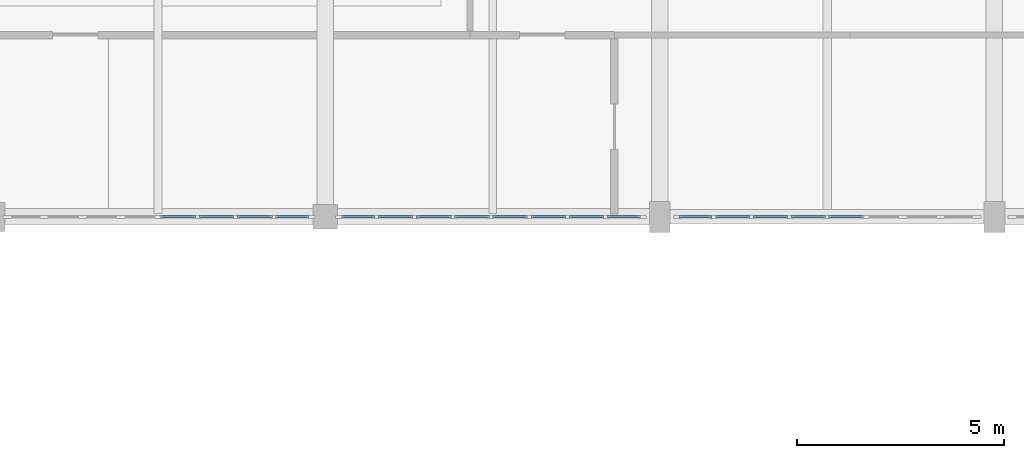
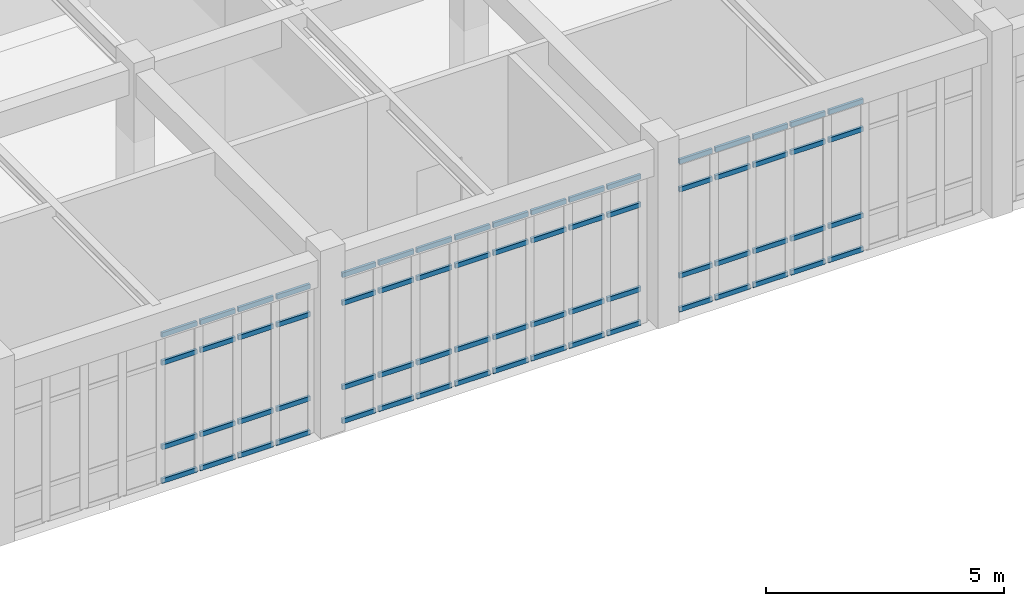
# One storey, part 26 of 61: 68 members, 3 elements without a shape of their own.
"""IFC4 building model written with IfcOpenShell, lengths in metres."""

from ifc_helpers import new_model, si_unit, direction, frame, origin, origin_2d, place, context, subcontext, project, spatial, rectangle, extrude, material, material_profile, profile_set, type_object, element, aggregate, save


model = new_model("IFC4")

# Units and contexts
model_context = context("Model", 3, precision=1e-05, world=origin(), true_north=direction((0.0, 1.0)))
body_context = subcontext(model_context, "Body", "Model", "MODEL_VIEW")
ifc_project = project(units=[si_unit("LENGTHUNIT", "METRE"), si_unit("AREAUNIT", "SQUARE_METRE"), si_unit("VOLUMEUNIT", "CUBIC_METRE"), si_unit("PLANEANGLEUNIT", "RADIAN"), si_unit("MASSUNIT", "GRAM", prefix="KILO")], contexts=[model_context])

# Site, building, storey
site_placement = place(None, origin())
site = spatial("IfcSite", under=ifc_project, at=site_placement, CompositionType="ELEMENT")
building_placement = place(site_placement, origin())
building = spatial("IfcBuilding", under=site, at=building_placement, Name="Tarnveldt Square Police Headquarters", CompositionType="ELEMENT")
storey_placement = place(building_placement, frame((0.0, 0.0, 5.39990234375)))
storey = spatial("IfcBuildingStorey", under=building, at=storey_placement, Name="L01", CompositionType="ELEMENT", Elevation=5.39990234375)

# Curtain wall, members
ifc_material_1 = material(Name="Triple-glazed low-e laminated vision glass", Category="glass")
curtain_wall_type_1 = type_object("IfcCurtainWallType", Name="CW-LB-742x381", PredefinedType="USERDEFINED", material=ifc_material_1)
curtain_wall_1_placement = place(storey_placement, origin())
curtain_wall_1 = element("IfcCurtainWall", 1, at=curtain_wall_1_placement, inside=storey, type_object=curtain_wall_type_1, Name="L01 Curtain Wall CW-L01-108", ObjectType="GLAZED CURTAIN WALL", PredefinedType="USERDEFINED")
ifc_material_2 = material(Name="Thermally broken anodised aluminium 6063-T6", Category="aluminium")
ifc_material_profile = material_profile(ifc_material_2, rectangle(XDim=0.06494140625, YDim=0.1201171875, at=origin_2d()), Name="CW-T65x120")
ifc_profile_set = profile_set([ifc_material_profile], Name="Thermally broken anodised aluminium 6063-T6")
member_type = type_object("IfcMemberType", Name="CWT-65x120", PredefinedType="USERDEFINED", material=ifc_profile_set)
member_1_placement = place(storey_placement, frame((77.012451171875, 96.0, 0.03271484375), z_axis=(1.0, 0.0, 0.0), x_axis=(0.0, 1.0, 0.0)))
member_1 = element("IfcMember", 2, at=member_1_placement, type_object=member_type, Name="CW-LB62 transom 5.1", ObjectType="TRANSOM", PredefinedType="USERDEFINED", context=body_context, shape_type="SweptSolid", body=[
    extrude(rectangle(XDim=0.06494140625, YDim=0.1201171875, at=origin_2d()), origin(), (0.0, 0.0, 1.0), 0.8525390625),
])
member_2_placement = place(storey_placement, frame((77.012451171875, 96.0, 0.900146484375), z_axis=(1.0, 0.0, 0.0), x_axis=(0.0, 1.0, 0.0)))
member_2 = element("IfcMember", 3, at=member_2_placement, type_object=member_type, Name="CW-LB62 transom 5.2", ObjectType="TRANSOM", PredefinedType="USERDEFINED", context=body_context, shape_type="SweptSolid", body=[
    extrude(rectangle(XDim=0.06494140625, YDim=0.1201171875, at=origin_2d()), origin(), (0.0, 0.0, 1.0), 0.8525390625),
])
member_3_placement = place(storey_placement, frame((77.012451171875, 96.0, 3.06201171875), z_axis=(1.0, 0.0, 0.0), x_axis=(0.0, 1.0, 0.0)))
member_3 = element("IfcMember", 4, at=member_3_placement, type_object=member_type, Name="CW-LB62 transom 5.3", ObjectType="TRANSOM", PredefinedType="USERDEFINED", context=body_context, shape_type="SweptSolid", body=[
    extrude(rectangle(XDim=0.06494140625, YDim=0.1201171875, at=origin_2d()), origin(), (0.0, 0.0, 1.0), 0.8525390625),
])
member_4_placement = place(storey_placement, frame((77.012451171875, 96.0, 3.779541015625), z_axis=(1.0, 0.0, 0.0), x_axis=(0.0, 1.0, 0.0)))
member_4 = element("IfcMember", 5, at=member_4_placement, type_object=member_type, Name="CW-LB62 transom 5.4", ObjectType="TRANSOM", PredefinedType="USERDEFINED", context=body_context, shape_type="SweptSolid", body=[
    extrude(rectangle(XDim=0.06494140625, YDim=0.1201171875, at=origin_2d()), origin(), (0.0, 0.0, 1.0), 0.8525390625),
])
member_5_placement = place(storey_placement, frame((77.93994140625, 96.0, 0.03271484375), z_axis=(1.0, 0.0, 0.0), x_axis=(0.0, 1.0, 0.0)))
member_5 = element("IfcMember", 6, at=member_5_placement, type_object=member_type, Name="CW-LB62 transom 6.1", ObjectType="TRANSOM", PredefinedType="USERDEFINED", context=body_context, shape_type="SweptSolid", body=[
    extrude(rectangle(XDim=0.06494140625, YDim=0.1201171875, at=origin_2d()), origin(), (0.0, 0.0, 1.0), 0.8525390625),
])
member_6_placement = place(storey_placement, frame((77.93994140625, 96.0, 0.900146484375), z_axis=(1.0, 0.0, 0.0), x_axis=(0.0, 1.0, 0.0)))
member_6 = element("IfcMember", 7, at=member_6_placement, type_object=member_type, Name="CW-LB62 transom 6.2", ObjectType="TRANSOM", PredefinedType="USERDEFINED", context=body_context, shape_type="SweptSolid", body=[
    extrude(rectangle(XDim=0.06494140625, YDim=0.1201171875, at=origin_2d()), origin(), (0.0, 0.0, 1.0), 0.8525390625),
])
member_7_placement = place(storey_placement, frame((77.93994140625, 96.0, 3.06201171875), z_axis=(1.0, 0.0, 0.0), x_axis=(0.0, 1.0, 0.0)))
member_7 = element("IfcMember", 8, at=member_7_placement, type_object=member_type, Name="CW-LB62 transom 6.3", ObjectType="TRANSOM", PredefinedType="USERDEFINED", context=body_context, shape_type="SweptSolid", body=[
    extrude(rectangle(XDim=0.06494140625, YDim=0.1201171875, at=origin_2d()), origin(), (0.0, 0.0, 1.0), 0.8525390625),
])
member_8_placement = place(storey_placement, frame((77.93994140625, 96.0, 3.779541015625), z_axis=(1.0, 0.0, 0.0), x_axis=(0.0, 1.0, 0.0)))
member_8 = element("IfcMember", 9, at=member_8_placement, type_object=member_type, Name="CW-LB62 transom 6.4", ObjectType="TRANSOM", PredefinedType="USERDEFINED", context=body_context, shape_type="SweptSolid", body=[
    extrude(rectangle(XDim=0.06494140625, YDim=0.1201171875, at=origin_2d()), origin(), (0.0, 0.0, 1.0), 0.8525390625),
])
member_9_placement = place(storey_placement, frame((78.867431640625, 96.0, 0.03271484375), z_axis=(1.0, 0.0, 0.0), x_axis=(0.0, 1.0, 0.0)))
member_9 = element("IfcMember", 10, at=member_9_placement, type_object=member_type, Name="CW-LB62 transom 7.1", ObjectType="TRANSOM", PredefinedType="USERDEFINED", context=body_context, shape_type="SweptSolid", body=[
    extrude(rectangle(XDim=0.06494140625, YDim=0.1201171875, at=origin_2d()), origin(), (0.0, 0.0, 1.0), 0.8525390625),
])
member_10_placement = place(storey_placement, frame((78.867431640625, 96.0, 0.900146484375), z_axis=(1.0, 0.0, 0.0), x_axis=(0.0, 1.0, 0.0)))
member_10 = element("IfcMember", 11, at=member_10_placement, type_object=member_type, Name="CW-LB62 transom 7.2", ObjectType="TRANSOM", PredefinedType="USERDEFINED", context=body_context, shape_type="SweptSolid", body=[
    extrude(rectangle(XDim=0.06494140625, YDim=0.1201171875, at=origin_2d()), origin(), (0.0, 0.0, 1.0), 0.8525390625),
])
member_11_placement = place(storey_placement, frame((78.867431640625, 96.0, 3.06201171875), z_axis=(1.0, 0.0, 0.0), x_axis=(0.0, 1.0, 0.0)))
member_11 = element("IfcMember", 12, at=member_11_placement, type_object=member_type, Name="CW-LB62 transom 7.3", ObjectType="TRANSOM", PredefinedType="USERDEFINED", context=body_context, shape_type="SweptSolid", body=[
    extrude(rectangle(XDim=0.06494140625, YDim=0.1201171875, at=origin_2d()), origin(), (0.0, 0.0, 1.0), 0.8525390625),
])
member_12_placement = place(storey_placement, frame((78.867431640625, 96.0, 3.779541015625), z_axis=(1.0, 0.0, 0.0), x_axis=(0.0, 1.0, 0.0)))
member_12 = element("IfcMember", 13, at=member_12_placement, type_object=member_type, Name="CW-LB62 transom 7.4", ObjectType="TRANSOM", PredefinedType="USERDEFINED", context=body_context, shape_type="SweptSolid", body=[
    extrude(rectangle(XDim=0.06494140625, YDim=0.1201171875, at=origin_2d()), origin(), (0.0, 0.0, 1.0), 0.8525390625),
])
member_13_placement = place(storey_placement, frame((79.794921875, 96.0, 0.03271484375), z_axis=(1.0, 0.0, 0.0), x_axis=(0.0, 1.0, 0.0)))
member_13 = element("IfcMember", 14, at=member_13_placement, type_object=member_type, Name="CW-LB62 transom 8.1", ObjectType="TRANSOM", PredefinedType="USERDEFINED", context=body_context, shape_type="SweptSolid", body=[
    extrude(rectangle(XDim=0.06494140625, YDim=0.1201171875, at=origin_2d()), origin(), (0.0, 0.0, 1.0), 0.815185546875),
])
member_14_placement = place(storey_placement, frame((79.794921875, 96.0, 0.900146484375), z_axis=(1.0, 0.0, 0.0), x_axis=(0.0, 1.0, 0.0)))
member_14 = element("IfcMember", 15, at=member_14_placement, type_object=member_type, Name="CW-LB62 transom 8.2", ObjectType="TRANSOM", PredefinedType="USERDEFINED", context=body_context, shape_type="SweptSolid", body=[
    extrude(rectangle(XDim=0.06494140625, YDim=0.1201171875, at=origin_2d()), origin(), (0.0, 0.0, 1.0), 0.815185546875),
])
member_15_placement = place(storey_placement, frame((79.794921875, 96.0, 3.06201171875), z_axis=(1.0, 0.0, 0.0), x_axis=(0.0, 1.0, 0.0)))
member_15 = element("IfcMember", 16, at=member_15_placement, type_object=member_type, Name="CW-LB62 transom 8.3", ObjectType="TRANSOM", PredefinedType="USERDEFINED", context=body_context, shape_type="SweptSolid", body=[
    extrude(rectangle(XDim=0.06494140625, YDim=0.1201171875, at=origin_2d()), origin(), (0.0, 0.0, 1.0), 0.815185546875),
])
member_16_placement = place(storey_placement, frame((79.794921875, 96.0, 3.779541015625), z_axis=(1.0, 0.0, 0.0), x_axis=(0.0, 1.0, 0.0)))
member_16 = element("IfcMember", 17, at=member_16_placement, type_object=member_type, Name="CW-LB62 transom 8.4", ObjectType="TRANSOM", PredefinedType="USERDEFINED", context=body_context, shape_type="SweptSolid", body=[
    extrude(rectangle(XDim=0.06494140625, YDim=0.1201171875, at=origin_2d()), origin(), (0.0, 0.0, 1.0), 0.815185546875),
])
aggregate(curtain_wall_1, [member_1, member_2, member_3, member_4, member_5, member_6, member_7, member_8, member_9, member_10, member_11, member_12, member_13, member_14, member_15, member_16])

curtain_wall_type_2 = type_object("IfcCurtainWallType", Name="CW-LB-739x381", PredefinedType="USERDEFINED", material=ifc_material_1)
curtain_wall_2_placement = place(storey_placement, origin())
curtain_wall_2 = element("IfcCurtainWall", 18, at=curtain_wall_2_placement, inside=storey, type_object=curtain_wall_type_2, Name="L01 Curtain Wall CW-L01-109", ObjectType="GLAZED CURTAIN WALL", PredefinedType="USERDEFINED")
member_17_placement = place(storey_placement, frame((81.389892578125, 96.0, 0.03271484375), z_axis=(1.0, 0.0, 0.0), x_axis=(0.0, 1.0, 0.0)))
member_17 = element("IfcMember", 19, at=member_17_placement, type_object=member_type, Name="CW-LB63 transom 1.1", ObjectType="TRANSOM", PredefinedType="USERDEFINED", context=body_context, shape_type="SweptSolid", body=[
    extrude(rectangle(XDim=0.06494140625, YDim=0.1201171875, at=origin_2d()), origin(), (0.0, 0.0, 1.0), 0.81201171875),
])
member_18_placement = place(storey_placement, frame((81.389892578125, 96.0, 0.900146484375), z_axis=(1.0, 0.0, 0.0), x_axis=(0.0, 1.0, 0.0)))
member_18 = element("IfcMember", 20, at=member_18_placement, type_object=member_type, Name="CW-LB63 transom 1.2", ObjectType="TRANSOM", PredefinedType="USERDEFINED", context=body_context, shape_type="SweptSolid", body=[
    extrude(rectangle(XDim=0.06494140625, YDim=0.1201171875, at=origin_2d()), origin(), (0.0, 0.0, 1.0), 0.81201171875),
])
member_19_placement = place(storey_placement, frame((81.389892578125, 96.0, 3.06201171875), z_axis=(1.0, 0.0, 0.0), x_axis=(0.0, 1.0, 0.0)))
member_19 = element("IfcMember", 21, at=member_19_placement, type_object=member_type, Name="CW-LB63 transom 1.3", ObjectType="TRANSOM", PredefinedType="USERDEFINED", context=body_context, shape_type="SweptSolid", body=[
    extrude(rectangle(XDim=0.06494140625, YDim=0.1201171875, at=origin_2d()), origin(), (0.0, 0.0, 1.0), 0.81201171875),
])
member_20_placement = place(storey_placement, frame((81.389892578125, 96.0, 3.779541015625), z_axis=(1.0, 0.0, 0.0), x_axis=(0.0, 1.0, 0.0)))
member_20 = element("IfcMember", 22, at=member_20_placement, type_object=member_type, Name="CW-LB63 transom 1.4", ObjectType="TRANSOM", PredefinedType="USERDEFINED", context=body_context, shape_type="SweptSolid", body=[
    extrude(rectangle(XDim=0.06494140625, YDim=0.1201171875, at=origin_2d()), origin(), (0.0, 0.0, 1.0), 0.81201171875),
])
member_21_placement = place(storey_placement, frame((82.27685546875, 96.0, 0.03271484375), z_axis=(1.0, 0.0, 0.0), x_axis=(0.0, 1.0, 0.0)))
member_21 = element("IfcMember", 23, at=member_21_placement, type_object=member_type, Name="CW-LB63 transom 2.1", ObjectType="TRANSOM", PredefinedType="USERDEFINED", context=body_context, shape_type="SweptSolid", body=[
    extrude(rectangle(XDim=0.06494140625, YDim=0.1201171875, at=origin_2d()), origin(), (0.0, 0.0, 1.0), 0.849365234375),
])
member_22_placement = place(storey_placement, frame((82.27685546875, 96.0, 0.900146484375), z_axis=(1.0, 0.0, 0.0), x_axis=(0.0, 1.0, 0.0)))
member_22 = element("IfcMember", 24, at=member_22_placement, type_object=member_type, Name="CW-LB63 transom 2.2", ObjectType="TRANSOM", PredefinedType="USERDEFINED", context=body_context, shape_type="SweptSolid", body=[
    extrude(rectangle(XDim=0.06494140625, YDim=0.1201171875, at=origin_2d()), origin(), (0.0, 0.0, 1.0), 0.849365234375),
])
member_23_placement = place(storey_placement, frame((82.27685546875, 96.0, 3.06201171875), z_axis=(1.0, 0.0, 0.0), x_axis=(0.0, 1.0, 0.0)))
member_23 = element("IfcMember", 25, at=member_23_placement, type_object=member_type, Name="CW-LB63 transom 2.3", ObjectType="TRANSOM", PredefinedType="USERDEFINED", context=body_context, shape_type="SweptSolid", body=[
    extrude(rectangle(XDim=0.06494140625, YDim=0.1201171875, at=origin_2d()), origin(), (0.0, 0.0, 1.0), 0.849365234375),
])
member_24_placement = place(storey_placement, frame((82.27685546875, 96.0, 3.779541015625), z_axis=(1.0, 0.0, 0.0), x_axis=(0.0, 1.0, 0.0)))
member_24 = element("IfcMember", 26, at=member_24_placement, type_object=member_type, Name="CW-LB63 transom 2.4", ObjectType="TRANSOM", PredefinedType="USERDEFINED", context=body_context, shape_type="SweptSolid", body=[
    extrude(rectangle(XDim=0.06494140625, YDim=0.1201171875, at=origin_2d()), origin(), (0.0, 0.0, 1.0), 0.849365234375),
])
member_25_placement = place(storey_placement, frame((83.201171875, 96.0, 0.03271484375), z_axis=(1.0, 0.0, 0.0), x_axis=(0.0, 1.0, 0.0)))
member_25 = element("IfcMember", 27, at=member_25_placement, type_object=member_type, Name="CW-LB63 transom 3.1", ObjectType="TRANSOM", PredefinedType="USERDEFINED", context=body_context, shape_type="SweptSolid", body=[
    extrude(rectangle(XDim=0.06494140625, YDim=0.1201171875, at=origin_2d()), origin(), (0.0, 0.0, 1.0), 0.849365234375),
])
member_26_placement = place(storey_placement, frame((83.201171875, 96.0, 0.900146484375), z_axis=(1.0, 0.0, 0.0), x_axis=(0.0, 1.0, 0.0)))
member_26 = element("IfcMember", 28, at=member_26_placement, type_object=member_type, Name="CW-LB63 transom 3.2", ObjectType="TRANSOM", PredefinedType="USERDEFINED", context=body_context, shape_type="SweptSolid", body=[
    extrude(rectangle(XDim=0.06494140625, YDim=0.1201171875, at=origin_2d()), origin(), (0.0, 0.0, 1.0), 0.849365234375),
])
member_27_placement = place(storey_placement, frame((83.201171875, 96.0, 3.06201171875), z_axis=(1.0, 0.0, 0.0), x_axis=(0.0, 1.0, 0.0)))
member_27 = element("IfcMember", 29, at=member_27_placement, type_object=member_type, Name="CW-LB63 transom 3.3", ObjectType="TRANSOM", PredefinedType="USERDEFINED", context=body_context, shape_type="SweptSolid", body=[
    extrude(rectangle(XDim=0.06494140625, YDim=0.1201171875, at=origin_2d()), origin(), (0.0, 0.0, 1.0), 0.849365234375),
])
member_28_placement = place(storey_placement, frame((83.201171875, 96.0, 3.779541015625), z_axis=(1.0, 0.0, 0.0), x_axis=(0.0, 1.0, 0.0)))
member_28 = element("IfcMember", 30, at=member_28_placement, type_object=member_type, Name="CW-LB63 transom 3.4", ObjectType="TRANSOM", PredefinedType="USERDEFINED", context=body_context, shape_type="SweptSolid", body=[
    extrude(rectangle(XDim=0.06494140625, YDim=0.1201171875, at=origin_2d()), origin(), (0.0, 0.0, 1.0), 0.849365234375),
])
member_29_placement = place(storey_placement, frame((84.125732421875, 96.0, 0.03271484375), z_axis=(1.0, 0.0, 0.0), x_axis=(0.0, 1.0, 0.0)))
member_29 = element("IfcMember", 31, at=member_29_placement, type_object=member_type, Name="CW-LB63 transom 4.1", ObjectType="TRANSOM", PredefinedType="USERDEFINED", context=body_context, shape_type="SweptSolid", body=[
    extrude(rectangle(XDim=0.06494140625, YDim=0.1201171875, at=origin_2d()), origin(), (0.0, 0.0, 1.0), 0.849365234375),
])
member_30_placement = place(storey_placement, frame((84.125732421875, 96.0, 0.900146484375), z_axis=(1.0, 0.0, 0.0), x_axis=(0.0, 1.0, 0.0)))
member_30 = element("IfcMember", 32, at=member_30_placement, type_object=member_type, Name="CW-LB63 transom 4.2", ObjectType="TRANSOM", PredefinedType="USERDEFINED", context=body_context, shape_type="SweptSolid", body=[
    extrude(rectangle(XDim=0.06494140625, YDim=0.1201171875, at=origin_2d()), origin(), (0.0, 0.0, 1.0), 0.849365234375),
])
member_31_placement = place(storey_placement, frame((84.125732421875, 96.0, 3.06201171875), z_axis=(1.0, 0.0, 0.0), x_axis=(0.0, 1.0, 0.0)))
member_31 = element("IfcMember", 33, at=member_31_placement, type_object=member_type, Name="CW-LB63 transom 4.3", ObjectType="TRANSOM", PredefinedType="USERDEFINED", context=body_context, shape_type="SweptSolid", body=[
    extrude(rectangle(XDim=0.06494140625, YDim=0.1201171875, at=origin_2d()), origin(), (0.0, 0.0, 1.0), 0.849365234375),
])
member_32_placement = place(storey_placement, frame((84.125732421875, 96.0, 3.779541015625), z_axis=(1.0, 0.0, 0.0), x_axis=(0.0, 1.0, 0.0)))
member_32 = element("IfcMember", 34, at=member_32_placement, type_object=member_type, Name="CW-LB63 transom 4.4", ObjectType="TRANSOM", PredefinedType="USERDEFINED", context=body_context, shape_type="SweptSolid", body=[
    extrude(rectangle(XDim=0.06494140625, YDim=0.1201171875, at=origin_2d()), origin(), (0.0, 0.0, 1.0), 0.849365234375),
])
member_33_placement = place(storey_placement, frame((85.050048828125, 96.0, 0.03271484375), z_axis=(1.0, 0.0, 0.0), x_axis=(0.0, 1.0, 0.0)))
member_33 = element("IfcMember", 35, at=member_33_placement, type_object=member_type, Name="CW-LB63 transom 5.1", ObjectType="TRANSOM", PredefinedType="USERDEFINED", context=body_context, shape_type="SweptSolid", body=[
    extrude(rectangle(XDim=0.06494140625, YDim=0.1201171875, at=origin_2d()), origin(), (0.0, 0.0, 1.0), 0.849365234375),
])
member_34_placement = place(storey_placement, frame((85.050048828125, 96.0, 0.900146484375), z_axis=(1.0, 0.0, 0.0), x_axis=(0.0, 1.0, 0.0)))
member_34 = element("IfcMember", 36, at=member_34_placement, type_object=member_type, Name="CW-LB63 transom 5.2", ObjectType="TRANSOM", PredefinedType="USERDEFINED", context=body_context, shape_type="SweptSolid", body=[
    extrude(rectangle(XDim=0.06494140625, YDim=0.1201171875, at=origin_2d()), origin(), (0.0, 0.0, 1.0), 0.849365234375),
])
member_35_placement = place(storey_placement, frame((85.050048828125, 96.0, 3.06201171875), z_axis=(1.0, 0.0, 0.0), x_axis=(0.0, 1.0, 0.0)))
member_35 = element("IfcMember", 37, at=member_35_placement, type_object=member_type, Name="CW-LB63 transom 5.3", ObjectType="TRANSOM", PredefinedType="USERDEFINED", context=body_context, shape_type="SweptSolid", body=[
    extrude(rectangle(XDim=0.06494140625, YDim=0.1201171875, at=origin_2d()), origin(), (0.0, 0.0, 1.0), 0.849365234375),
])
member_36_placement = place(storey_placement, frame((85.050048828125, 96.0, 3.779541015625), z_axis=(1.0, 0.0, 0.0), x_axis=(0.0, 1.0, 0.0)))
member_36 = element("IfcMember", 38, at=member_36_placement, type_object=member_type, Name="CW-LB63 transom 5.4", ObjectType="TRANSOM", PredefinedType="USERDEFINED", context=body_context, shape_type="SweptSolid", body=[
    extrude(rectangle(XDim=0.06494140625, YDim=0.1201171875, at=origin_2d()), origin(), (0.0, 0.0, 1.0), 0.849365234375),
])
member_37_placement = place(storey_placement, frame((85.974365234375, 96.0, 0.03271484375), z_axis=(1.0, 0.0, 0.0), x_axis=(0.0, 1.0, 0.0)))
member_37 = element("IfcMember", 39, at=member_37_placement, type_object=member_type, Name="CW-LB63 transom 6.1", ObjectType="TRANSOM", PredefinedType="USERDEFINED", context=body_context, shape_type="SweptSolid", body=[
    extrude(rectangle(XDim=0.06494140625, YDim=0.1201171875, at=origin_2d()), origin(), (0.0, 0.0, 1.0), 0.849365234375),
])
member_38_placement = place(storey_placement, frame((85.974365234375, 96.0, 0.900146484375), z_axis=(1.0, 0.0, 0.0), x_axis=(0.0, 1.0, 0.0)))
member_38 = element("IfcMember", 40, at=member_38_placement, type_object=member_type, Name="CW-LB63 transom 6.2", ObjectType="TRANSOM", PredefinedType="USERDEFINED", context=body_context, shape_type="SweptSolid", body=[
    extrude(rectangle(XDim=0.06494140625, YDim=0.1201171875, at=origin_2d()), origin(), (0.0, 0.0, 1.0), 0.849365234375),
])
member_39_placement = place(storey_placement, frame((85.974365234375, 96.0, 3.06201171875), z_axis=(1.0, 0.0, 0.0), x_axis=(0.0, 1.0, 0.0)))
member_39 = element("IfcMember", 41, at=member_39_placement, type_object=member_type, Name="CW-LB63 transom 6.3", ObjectType="TRANSOM", PredefinedType="USERDEFINED", context=body_context, shape_type="SweptSolid", body=[
    extrude(rectangle(XDim=0.06494140625, YDim=0.1201171875, at=origin_2d()), origin(), (0.0, 0.0, 1.0), 0.849365234375),
])
member_40_placement = place(storey_placement, frame((85.974365234375, 96.0, 3.779541015625), z_axis=(1.0, 0.0, 0.0), x_axis=(0.0, 1.0, 0.0)))
member_40 = element("IfcMember", 42, at=member_40_placement, type_object=member_type, Name="CW-LB63 transom 6.4", ObjectType="TRANSOM", PredefinedType="USERDEFINED", context=body_context, shape_type="SweptSolid", body=[
    extrude(rectangle(XDim=0.06494140625, YDim=0.1201171875, at=origin_2d()), origin(), (0.0, 0.0, 1.0), 0.849365234375),
])
member_41_placement = place(storey_placement, frame((86.898681640625, 96.0, 0.03271484375), z_axis=(1.0, 0.0, 0.0), x_axis=(0.0, 1.0, 0.0)))
member_41 = element("IfcMember", 43, at=member_41_placement, type_object=member_type, Name="CW-LB63 transom 7.1", ObjectType="TRANSOM", PredefinedType="USERDEFINED", context=body_context, shape_type="SweptSolid", body=[
    extrude(rectangle(XDim=0.06494140625, YDim=0.1201171875, at=origin_2d()), origin(), (0.0, 0.0, 1.0), 0.849365234375),
])
member_42_placement = place(storey_placement, frame((86.898681640625, 96.0, 0.900146484375), z_axis=(1.0, 0.0, 0.0), x_axis=(0.0, 1.0, 0.0)))
member_42 = element("IfcMember", 44, at=member_42_placement, type_object=member_type, Name="CW-LB63 transom 7.2", ObjectType="TRANSOM", PredefinedType="USERDEFINED", context=body_context, shape_type="SweptSolid", body=[
    extrude(rectangle(XDim=0.06494140625, YDim=0.1201171875, at=origin_2d()), origin(), (0.0, 0.0, 1.0), 0.849365234375),
])
member_43_placement = place(storey_placement, frame((86.898681640625, 96.0, 3.06201171875), z_axis=(1.0, 0.0, 0.0), x_axis=(0.0, 1.0, 0.0)))
member_43 = element("IfcMember", 45, at=member_43_placement, type_object=member_type, Name="CW-LB63 transom 7.3", ObjectType="TRANSOM", PredefinedType="USERDEFINED", context=body_context, shape_type="SweptSolid", body=[
    extrude(rectangle(XDim=0.06494140625, YDim=0.1201171875, at=origin_2d()), origin(), (0.0, 0.0, 1.0), 0.849365234375),
])
member_44_placement = place(storey_placement, frame((86.898681640625, 96.0, 3.779541015625), z_axis=(1.0, 0.0, 0.0), x_axis=(0.0, 1.0, 0.0)))
member_44 = element("IfcMember", 46, at=member_44_placement, type_object=member_type, Name="CW-LB63 transom 7.4", ObjectType="TRANSOM", PredefinedType="USERDEFINED", context=body_context, shape_type="SweptSolid", body=[
    extrude(rectangle(XDim=0.06494140625, YDim=0.1201171875, at=origin_2d()), origin(), (0.0, 0.0, 1.0), 0.849365234375),
])
member_45_placement = place(storey_placement, frame((87.8232421875, 96.0, 0.03271484375), z_axis=(1.0, 0.0, 0.0), x_axis=(0.0, 1.0, 0.0)))
member_45 = element("IfcMember", 47, at=member_45_placement, type_object=member_type, Name="CW-LB63 transom 8.1", ObjectType="TRANSOM", PredefinedType="USERDEFINED", context=body_context, shape_type="SweptSolid", body=[
    extrude(rectangle(XDim=0.06494140625, YDim=0.1201171875, at=origin_2d()), origin(), (0.0, 0.0, 1.0), 0.811767578125),
])
member_46_placement = place(storey_placement, frame((87.8232421875, 96.0, 0.900146484375), z_axis=(1.0, 0.0, 0.0), x_axis=(0.0, 1.0, 0.0)))
member_46 = element("IfcMember", 48, at=member_46_placement, type_object=member_type, Name="CW-LB63 transom 8.2", ObjectType="TRANSOM", PredefinedType="USERDEFINED", context=body_context, shape_type="SweptSolid", body=[
    extrude(rectangle(XDim=0.06494140625, YDim=0.1201171875, at=origin_2d()), origin(), (0.0, 0.0, 1.0), 0.811767578125),
])
member_47_placement = place(storey_placement, frame((87.8232421875, 96.0, 3.06201171875), z_axis=(1.0, 0.0, 0.0), x_axis=(0.0, 1.0, 0.0)))
member_47 = element("IfcMember", 49, at=member_47_placement, type_object=member_type, Name="CW-LB63 transom 8.3", ObjectType="TRANSOM", PredefinedType="USERDEFINED", context=body_context, shape_type="SweptSolid", body=[
    extrude(rectangle(XDim=0.06494140625, YDim=0.1201171875, at=origin_2d()), origin(), (0.0, 0.0, 1.0), 0.811767578125),
])
member_48_placement = place(storey_placement, frame((87.8232421875, 96.0, 3.779541015625), z_axis=(1.0, 0.0, 0.0), x_axis=(0.0, 1.0, 0.0)))
member_48 = element("IfcMember", 50, at=member_48_placement, type_object=member_type, Name="CW-LB63 transom 8.4", ObjectType="TRANSOM", PredefinedType="USERDEFINED", context=body_context, shape_type="SweptSolid", body=[
    extrude(rectangle(XDim=0.06494140625, YDim=0.1201171875, at=origin_2d()), origin(), (0.0, 0.0, 1.0), 0.811767578125),
])
aggregate(curtain_wall_2, [member_17, member_18, member_19, member_20, member_21, member_22, member_23, member_24, member_25, member_26, member_27, member_28, member_29, member_30, member_31, member_32, member_33, member_34, member_35, member_36, member_37, member_38, member_39, member_40, member_41, member_42, member_43, member_44, member_45, member_46, member_47, member_48])

curtain_wall_type_3 = type_object("IfcCurtainWallType", Name="CW-LB-732x386", PredefinedType="USERDEFINED", material=ifc_material_1)
curtain_wall_3_placement = place(storey_placement, origin())
curtain_wall_3 = element("IfcCurtainWall", 51, at=curtain_wall_3_placement, inside=storey, type_object=curtain_wall_type_3, Name="L01 Curtain Wall CW-L01-110", ObjectType="GLAZED CURTAIN WALL", PredefinedType="USERDEFINED")
member_49_placement = place(storey_placement, frame((89.56494140625, 96.0, 0.03271484375), z_axis=(1.0, 0.0, 0.0), x_axis=(0.0, 1.0, 0.0)))
member_49 = element("IfcMember", 52, at=member_49_placement, type_object=member_type, Name="CW-LB64 transom 1.1", ObjectType="TRANSOM", PredefinedType="USERDEFINED", context=body_context, shape_type="SweptSolid", body=[
    extrude(rectangle(XDim=0.06494140625, YDim=0.1201171875, at=origin_2d()), origin(), (0.0, 0.0, 1.0), 0.802490234375),
])
member_50_placement = place(storey_placement, frame((89.56494140625, 96.0, 0.900146484375), z_axis=(1.0, 0.0, 0.0), x_axis=(0.0, 1.0, 0.0)))
member_50 = element("IfcMember", 53, at=member_50_placement, type_object=member_type, Name="CW-LB64 transom 1.2", ObjectType="TRANSOM", PredefinedType="USERDEFINED", context=body_context, shape_type="SweptSolid", body=[
    extrude(rectangle(XDim=0.06494140625, YDim=0.1201171875, at=origin_2d()), origin(), (0.0, 0.0, 1.0), 0.802490234375),
])
member_51_placement = place(storey_placement, frame((89.56494140625, 96.0, 3.112060546875), z_axis=(1.0, 0.0, 0.0), x_axis=(0.0, 1.0, 0.0)))
member_51 = element("IfcMember", 54, at=member_51_placement, type_object=member_type, Name="CW-LB64 transom 1.3", ObjectType="TRANSOM", PredefinedType="USERDEFINED", context=body_context, shape_type="SweptSolid", body=[
    extrude(rectangle(XDim=0.06494140625, YDim=0.1201171875, at=origin_2d()), origin(), (0.0, 0.0, 1.0), 0.802490234375),
])
member_52_placement = place(storey_placement, frame((89.56494140625, 96.0, 3.82958984375), z_axis=(1.0, 0.0, 0.0), x_axis=(0.0, 1.0, 0.0)))
member_52 = element("IfcMember", 55, at=member_52_placement, type_object=member_type, Name="CW-LB64 transom 1.4", ObjectType="TRANSOM", PredefinedType="USERDEFINED", context=body_context, shape_type="SweptSolid", body=[
    extrude(rectangle(XDim=0.06494140625, YDim=0.1201171875, at=origin_2d()), origin(), (0.0, 0.0, 1.0), 0.802490234375),
])
member_53_placement = place(storey_placement, frame((90.4423828125, 96.0, 0.03271484375), z_axis=(1.0, 0.0, 0.0), x_axis=(0.0, 1.0, 0.0)))
member_53 = element("IfcMember", 56, at=member_53_placement, type_object=member_type, Name="CW-LB64 transom 2.1", ObjectType="TRANSOM", PredefinedType="USERDEFINED", context=body_context, shape_type="SweptSolid", body=[
    extrude(rectangle(XDim=0.06494140625, YDim=0.1201171875, at=origin_2d()), origin(), (0.0, 0.0, 1.0), 0.840087890625),
])
member_54_placement = place(storey_placement, frame((90.4423828125, 96.0, 0.900146484375), z_axis=(1.0, 0.0, 0.0), x_axis=(0.0, 1.0, 0.0)))
member_54 = element("IfcMember", 57, at=member_54_placement, type_object=member_type, Name="CW-LB64 transom 2.2", ObjectType="TRANSOM", PredefinedType="USERDEFINED", context=body_context, shape_type="SweptSolid", body=[
    extrude(rectangle(XDim=0.06494140625, YDim=0.1201171875, at=origin_2d()), origin(), (0.0, 0.0, 1.0), 0.840087890625),
])
member_55_placement = place(storey_placement, frame((90.4423828125, 96.0, 3.112060546875), z_axis=(1.0, 0.0, 0.0), x_axis=(0.0, 1.0, 0.0)))
member_55 = element("IfcMember", 58, at=member_55_placement, type_object=member_type, Name="CW-LB64 transom 2.3", ObjectType="TRANSOM", PredefinedType="USERDEFINED", context=body_context, shape_type="SweptSolid", body=[
    extrude(rectangle(XDim=0.06494140625, YDim=0.1201171875, at=origin_2d()), origin(), (0.0, 0.0, 1.0), 0.840087890625),
])
member_56_placement = place(storey_placement, frame((90.4423828125, 96.0, 3.82958984375), z_axis=(1.0, 0.0, 0.0), x_axis=(0.0, 1.0, 0.0)))
member_56 = element("IfcMember", 59, at=member_56_placement, type_object=member_type, Name="CW-LB64 transom 2.4", ObjectType="TRANSOM", PredefinedType="USERDEFINED", context=body_context, shape_type="SweptSolid", body=[
    extrude(rectangle(XDim=0.06494140625, YDim=0.1201171875, at=origin_2d()), origin(), (0.0, 0.0, 1.0), 0.840087890625),
])
member_57_placement = place(storey_placement, frame((91.357421875, 96.0, 0.03271484375), z_axis=(1.0, 0.0, 0.0), x_axis=(0.0, 1.0, 0.0)))
member_57 = element("IfcMember", 60, at=member_57_placement, type_object=member_type, Name="CW-LB64 transom 3.1", ObjectType="TRANSOM", PredefinedType="USERDEFINED", context=body_context, shape_type="SweptSolid", body=[
    extrude(rectangle(XDim=0.06494140625, YDim=0.1201171875, at=origin_2d()), origin(), (0.0, 0.0, 1.0), 0.840087890625),
])
member_58_placement = place(storey_placement, frame((91.357421875, 96.0, 0.900146484375), z_axis=(1.0, 0.0, 0.0), x_axis=(0.0, 1.0, 0.0)))
member_58 = element("IfcMember", 61, at=member_58_placement, type_object=member_type, Name="CW-LB64 transom 3.2", ObjectType="TRANSOM", PredefinedType="USERDEFINED", context=body_context, shape_type="SweptSolid", body=[
    extrude(rectangle(XDim=0.06494140625, YDim=0.1201171875, at=origin_2d()), origin(), (0.0, 0.0, 1.0), 0.840087890625),
])
member_59_placement = place(storey_placement, frame((91.357421875, 96.0, 3.112060546875), z_axis=(1.0, 0.0, 0.0), x_axis=(0.0, 1.0, 0.0)))
member_59 = element("IfcMember", 62, at=member_59_placement, type_object=member_type, Name="CW-LB64 transom 3.3", ObjectType="TRANSOM", PredefinedType="USERDEFINED", context=body_context, shape_type="SweptSolid", body=[
    extrude(rectangle(XDim=0.06494140625, YDim=0.1201171875, at=origin_2d()), origin(), (0.0, 0.0, 1.0), 0.840087890625),
])
member_60_placement = place(storey_placement, frame((91.357421875, 96.0, 3.82958984375), z_axis=(1.0, 0.0, 0.0), x_axis=(0.0, 1.0, 0.0)))
member_60 = element("IfcMember", 63, at=member_60_placement, type_object=member_type, Name="CW-LB64 transom 3.4", ObjectType="TRANSOM", PredefinedType="USERDEFINED", context=body_context, shape_type="SweptSolid", body=[
    extrude(rectangle(XDim=0.06494140625, YDim=0.1201171875, at=origin_2d()), origin(), (0.0, 0.0, 1.0), 0.840087890625),
])
member_61_placement = place(storey_placement, frame((92.2724609375, 96.0, 0.03271484375), z_axis=(1.0, 0.0, 0.0), x_axis=(0.0, 1.0, 0.0)))
member_61 = element("IfcMember", 64, at=member_61_placement, type_object=member_type, Name="CW-LB64 transom 4.1", ObjectType="TRANSOM", PredefinedType="USERDEFINED", context=body_context, shape_type="SweptSolid", body=[
    extrude(rectangle(XDim=0.06494140625, YDim=0.1201171875, at=origin_2d()), origin(), (0.0, 0.0, 1.0), 0.840087890625),
])
member_62_placement = place(storey_placement, frame((92.2724609375, 96.0, 0.900146484375), z_axis=(1.0, 0.0, 0.0), x_axis=(0.0, 1.0, 0.0)))
member_62 = element("IfcMember", 65, at=member_62_placement, type_object=member_type, Name="CW-LB64 transom 4.2", ObjectType="TRANSOM", PredefinedType="USERDEFINED", context=body_context, shape_type="SweptSolid", body=[
    extrude(rectangle(XDim=0.06494140625, YDim=0.1201171875, at=origin_2d()), origin(), (0.0, 0.0, 1.0), 0.840087890625),
])
member_63_placement = place(storey_placement, frame((92.2724609375, 96.0, 3.112060546875), z_axis=(1.0, 0.0, 0.0), x_axis=(0.0, 1.0, 0.0)))
member_63 = element("IfcMember", 66, at=member_63_placement, type_object=member_type, Name="CW-LB64 transom 4.3", ObjectType="TRANSOM", PredefinedType="USERDEFINED", context=body_context, shape_type="SweptSolid", body=[
    extrude(rectangle(XDim=0.06494140625, YDim=0.1201171875, at=origin_2d()), origin(), (0.0, 0.0, 1.0), 0.840087890625),
])
member_64_placement = place(storey_placement, frame((92.2724609375, 96.0, 3.82958984375), z_axis=(1.0, 0.0, 0.0), x_axis=(0.0, 1.0, 0.0)))
member_64 = element("IfcMember", 67, at=member_64_placement, type_object=member_type, Name="CW-LB64 transom 4.4", ObjectType="TRANSOM", PredefinedType="USERDEFINED", context=body_context, shape_type="SweptSolid", body=[
    extrude(rectangle(XDim=0.06494140625, YDim=0.1201171875, at=origin_2d()), origin(), (0.0, 0.0, 1.0), 0.840087890625),
])
member_65_placement = place(storey_placement, frame((93.1875, 96.0, 0.03271484375), z_axis=(1.0, 0.0, 0.0), x_axis=(0.0, 1.0, 0.0)))
member_65 = element("IfcMember", 68, at=member_65_placement, type_object=member_type, Name="CW-LB64 transom 5.1", ObjectType="TRANSOM", PredefinedType="USERDEFINED", context=body_context, shape_type="SweptSolid", body=[
    extrude(rectangle(XDim=0.06494140625, YDim=0.1201171875, at=origin_2d()), origin(), (0.0, 0.0, 1.0), 0.840087890625),
])
member_66_placement = place(storey_placement, frame((93.1875, 96.0, 0.900146484375), z_axis=(1.0, 0.0, 0.0), x_axis=(0.0, 1.0, 0.0)))
member_66 = element("IfcMember", 69, at=member_66_placement, type_object=member_type, Name="CW-LB64 transom 5.2", ObjectType="TRANSOM", PredefinedType="USERDEFINED", context=body_context, shape_type="SweptSolid", body=[
    extrude(rectangle(XDim=0.06494140625, YDim=0.1201171875, at=origin_2d()), origin(), (0.0, 0.0, 1.0), 0.840087890625),
])
member_67_placement = place(storey_placement, frame((93.1875, 96.0, 3.112060546875), z_axis=(1.0, 0.0, 0.0), x_axis=(0.0, 1.0, 0.0)))
member_67 = element("IfcMember", 70, at=member_67_placement, type_object=member_type, Name="CW-LB64 transom 5.3", ObjectType="TRANSOM", PredefinedType="USERDEFINED", context=body_context, shape_type="SweptSolid", body=[
    extrude(rectangle(XDim=0.06494140625, YDim=0.1201171875, at=origin_2d()), origin(), (0.0, 0.0, 1.0), 0.840087890625),
])
member_68_placement = place(storey_placement, frame((93.1875, 96.0, 3.82958984375), z_axis=(1.0, 0.0, 0.0), x_axis=(0.0, 1.0, 0.0)))
member_68 = element("IfcMember", 71, at=member_68_placement, type_object=member_type, Name="CW-LB64 transom 5.4", ObjectType="TRANSOM", PredefinedType="USERDEFINED", context=body_context, shape_type="SweptSolid", body=[
    extrude(rectangle(XDim=0.06494140625, YDim=0.1201171875, at=origin_2d()), origin(), (0.0, 0.0, 1.0), 0.840087890625),
])
aggregate(curtain_wall_3, [member_49, member_50, member_51, member_52, member_53, member_54, member_55, member_56, member_57, member_58, member_59, member_60, member_61, member_62, member_63, member_64, member_65, member_66, member_67, member_68])

save(model, "model.ifc")
